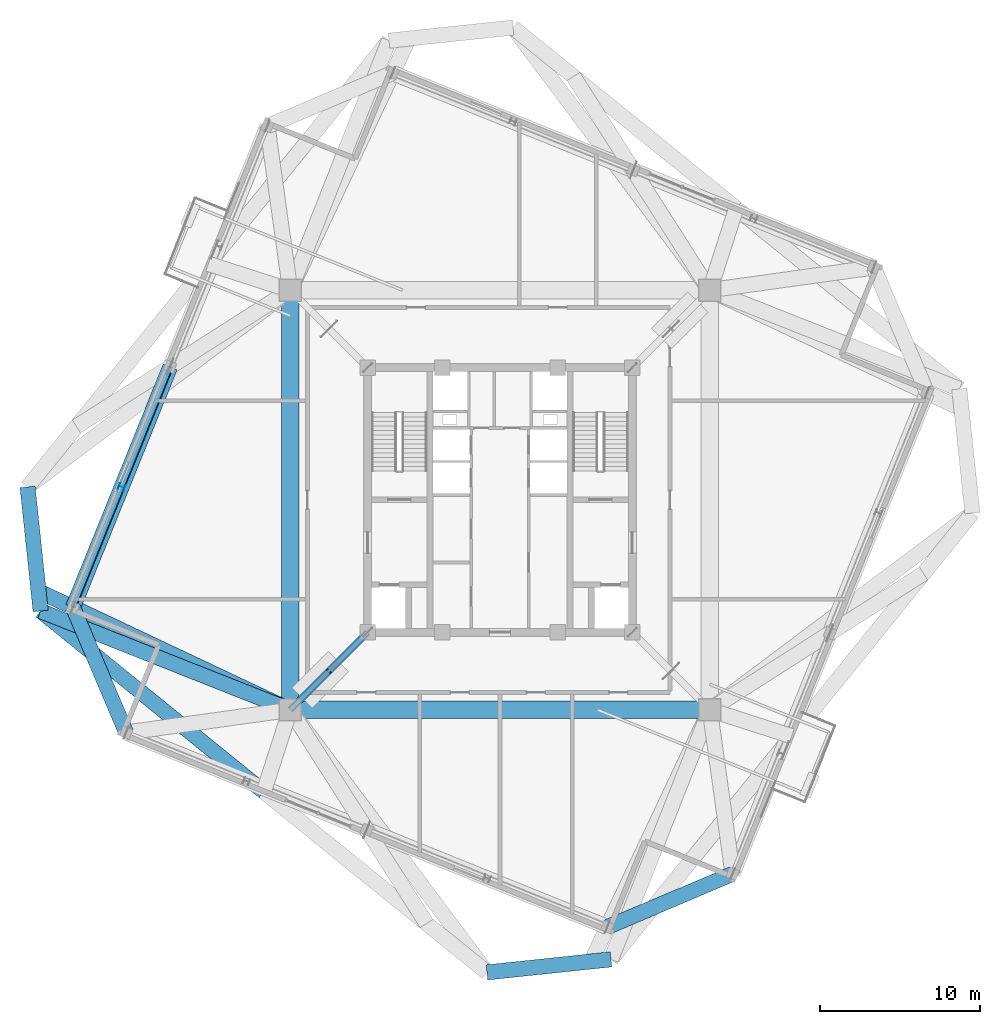
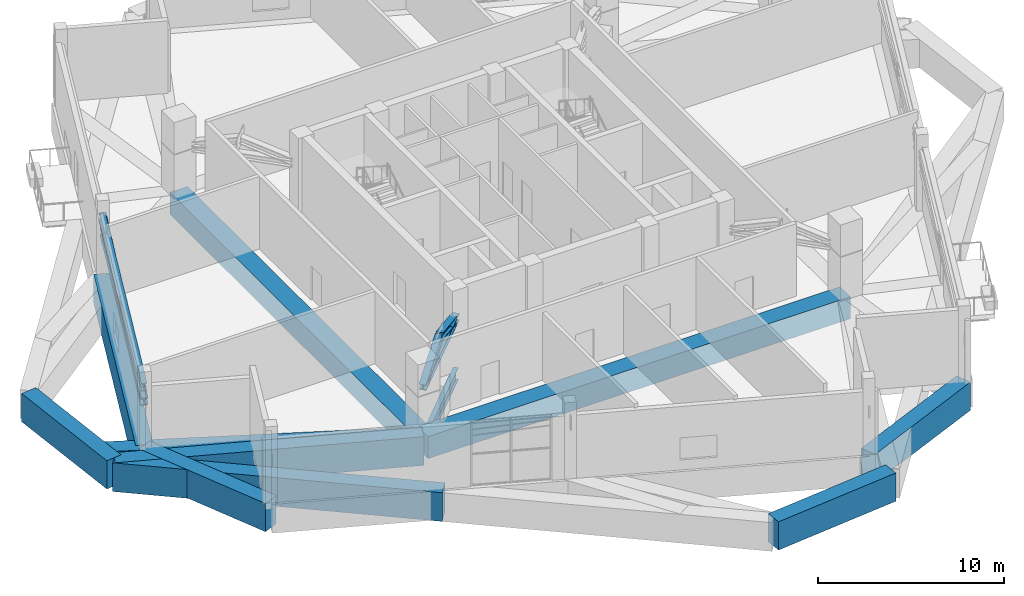
# One storey, part 5 of 20: 11 beams, 7 members.
"""IFC4 building model written with IfcOpenShell, lengths in metres."""

from ifc_helpers import new_model, si_unit, direction, frame, origin, origin_2d, place, context, subcontext, project, spatial, rectangle, i_section, extrude, source, transform, mapped, material, material_profile, profile_set, type_object, element, save


model = new_model("IFC4")

# Units and contexts
model_context = context("Model", 3, precision=1e-05, world=origin(), true_north=direction((0.0, 1.0)))
body_context = subcontext(model_context, "Body", "Model", "MODEL_VIEW")
ifc_project = project(units=[si_unit("LENGTHUNIT", "METRE"), si_unit("AREAUNIT", "SQUARE_METRE"), si_unit("VOLUMEUNIT", "CUBIC_METRE"), si_unit("PLANEANGLEUNIT", "RADIAN"), si_unit("MASSUNIT", "GRAM", prefix="KILO"), si_unit("THERMODYNAMICTEMPERATUREUNIT", "KELVIN")], contexts=[model_context])

# Site, building, storey
site_placement = place(None, origin())
site = spatial("IfcSite", under=ifc_project, at=site_placement, CompositionType="ELEMENT")
building_placement = place(site_placement, origin())
building = spatial("IfcBuilding", under=site, at=building_placement, Name="Kosmvard Interchange Tower", CompositionType="ELEMENT")
storey_placement = place(building_placement, frame((0.0, 0.0, 260.199951171875)))
storey = spatial("IfcBuildingStorey", under=building, at=storey_placement, Name="L63", CompositionType="ELEMENT", Elevation=260.199951171875)

# Beams
ifc_material_1 = material(Name="Concrete C70/85", Category="concrete")
ifc_material_profile_1 = material_profile(ifc_material_1, rectangle(XDim=1.10009765625, YDim=1.43994140625, at=origin_2d()), Name="TG 1100x1440")
ifc_profile_set_1 = profile_set([ifc_material_profile_1], Name="Concrete C70/85")
beam_type_1 = type_object("IfcBeamType", Name="Mega-Frame Transfer Ring Girder 1100x1440 C70/85", PredefinedType="USERDEFINED", material=ifc_profile_set_1)
shared_shape_1 = source(origin(), body_context, "Body", "SweptSolid", [
    extrude(rectangle(XDim=1.10009765625, YDim=1.43994140625, at=origin_2d()), origin(), (0.0, 0.0, 1.0), 26.162109375),
])
for number, where, z_axis, x_axis, name in (
    (1, (-13.0810546875, -13.0810546875, -0.719970703125), (1.0, 0.0, 0.0), (0.0, 1.0, 0.0), "L63 Mega-Column Ring Girder 1"),
    (2, (-13.0810546875, 13.0810546875, -0.719970703125), (0.0, -1.0, 0.0), (1.0, 0.0, 0.0), "L63 Mega-Column Ring Girder 4"),
):
    element("IfcBeam", number, at=place(storey_placement, frame(where, z_axis=z_axis, x_axis=x_axis)), inside=storey, type_object=beam_type_1, Name=name, ObjectType="TRANSFER_GIRDER", PredefinedType="USERDEFINED", context=body_context, shape_type="MappedRepresentation", body=[
        mapped(shared_shape_1, transform((0.0, 0.0, 0.0), scale=1.0)),
    ])

# Member
ifc_material_2 = material(Name="Steel S460", Category="steel")
ifc_material_profile_2 = material_profile(ifc_material_2, i_section(OverallWidth=0.40087890625, OverallDepth=0.39892578125, WebThickness=0.0185546875, FlangeThickness=0.028076171875, FilletRadius=0.014892578125, at=origin_2d()), Name="HD 400x314")
ifc_profile_set_2 = profile_set([ifc_material_profile_2], Name="Steel S460")
member_type_1 = type_object("IfcMemberType", Name="Outrigger Top and Bottom Chord HD 400x314 S460", PredefinedType="CHORD", material=ifc_profile_set_2)
shared_shape_2 = source(origin(), body_context, "Body", "SweptSolid", [
    extrude(i_section(OverallWidth=0.40087890625, OverallDepth=0.39892578125, WebThickness=0.0185546875, FlangeThickness=0.028076171875, FilletRadius=0.014892578125, at=origin_2d()), origin(), (0.0, 0.0, 1.0), 6.83203125),
])
member_1_placement = place(storey_placement, frame((-8.25, -8.25, 2.920166015625), z_axis=(-0.707106781187, -0.707106781187, 0.0), x_axis=(0.707106781187, -0.707106781187, 0.0)))
element("IfcMember", 3, at=member_1_placement, inside=storey, type_object=member_type_1, Name="L63 Outrigger Bottom Chord 1", PredefinedType="CHORD", context=body_context, shape_type="MappedRepresentation", body=[
    mapped(shared_shape_2, transform((0.0, 0.0, 0.0), scale=1.0)),
])

# Beams
ifc_material_3 = material(Name="Steel S355", Category="steel")
ifc_material_profile_3 = material_profile(ifc_material_3, i_section(OverallWidth=0.300048828125, OverallDepth=0.800048828125, WebThickness=0.017578125, FlangeThickness=0.032958984375, FilletRadius=0.027099609375, at=origin_2d()), Name="HEB 800")
ifc_profile_set_3 = profile_set([ifc_material_profile_3], Name="Steel S355")
beam_type_2 = type_object("IfcBeamType", Name="Primary Mega-Frame Girder HEB 800 S355", PredefinedType="BEAM", material=ifc_profile_set_3)
shared_shape_3 = source(origin(), body_context, "Body", "SweptSolid", [
    extrude(i_section(OverallWidth=0.300048828125, OverallDepth=0.800048828125, WebThickness=0.017578125, FlangeThickness=0.032958984375, FilletRadius=0.027099609375, at=origin_2d()), origin(), (0.0, 0.0, 1.0), 6.83203125),
])
beam_1_placement = place(storey_placement, frame((-8.25, -8.25, -0.800048828125), z_axis=(-0.707106781187, -0.707106781187, 0.0), x_axis=(0.707106781187, -0.707106781187, 0.0)))
element("IfcBeam", 4, at=beam_1_placement, inside=storey, type_object=beam_type_2, Name="L63 Radial Mega-Frame Girder 1", PredefinedType="BEAM", context=body_context, shape_type="MappedRepresentation", body=[
    mapped(shared_shape_3, transform((0.0, 0.0, 0.0), scale=1.0)),
])
ifc_material_4 = material(Name="Concrete C60/75", Category="concrete")
ifc_material_profile_4 = material_profile(ifc_material_4, rectangle(XDim=0.949951171875, YDim=1.8798828125, at=origin_2d()), Name="TG 950x1880")
ifc_profile_set_4 = profile_set([ifc_material_profile_4], Name="Concrete C60/75")
beam_type_3 = type_object("IfcBeamType", Name="Upper Long-Span Transfer Girder 950x1880 C60/75", PredefinedType="USERDEFINED", material=ifc_profile_set_4)
shared_shape_4 = source(origin(), body_context, "Body", "SweptSolid", [
    extrude(rectangle(XDim=0.949951171875, YDim=1.8798828125, at=origin_2d()), origin(), (0.0, 0.0, 1.0), 17.89990234375),
])
beam_2_placement = place(storey_placement, frame((-28.636962890625, -6.92041015625, -0.93994140625), z_axis=(0.777143856413, -0.629322990554, 0.0), x_axis=(0.629322990554, 0.777143856413, 0.0)))
element("IfcBeam", 5, at=beam_2_placement, inside=storey, type_object=beam_type_3, Name="BM-L63-LR10", ObjectType="TRANSFER_GIRDER", PredefinedType="USERDEFINED", context=body_context, shape_type="MappedRepresentation", body=[
    mapped(shared_shape_4, transform((0.0, 0.0, 0.0), scale=1.0)),
])
shared_shape_5 = source(origin(), body_context, "Body", "SweptSolid", [
    extrude(rectangle(XDim=0.949951171875, YDim=1.8798828125, at=origin_2d()), origin(), (0.0, 0.0, 1.0), 16.7314453125),
])
beam_3_placement = place(storey_placement, frame((-13.0810546875, -13.0810546875, -0.93994140625), z_axis=(-0.929743244223, 0.368208500474, 0.0), x_axis=(-0.368208500474, -0.929743244223, 0.0)))
element("IfcBeam", 6, at=beam_3_placement, inside=storey, type_object=beam_type_3, Name="BM-L63-LD10", ObjectType="TRANSFER_GIRDER", PredefinedType="USERDEFINED", context=body_context, shape_type="MappedRepresentation", body=[
    mapped(shared_shape_5, transform((0.0, 0.0, 0.0), scale=1.0)),
])
ifc_material_profile_5 = material_profile(ifc_material_4, rectangle(XDim=0.949951171875, YDim=1.85009765625, at=origin_2d()), Name="TG 950x1850")
ifc_profile_set_5 = profile_set([ifc_material_profile_5], Name="Concrete C60/75")
beam_type_4 = type_object("IfcBeamType", Name="Upper Transfer Ring Girder 950x1850 C60/75", PredefinedType="USERDEFINED", material=ifc_profile_set_5)
shared_shape_6 = source(origin(), body_context, "Body", "SweptSolid", [
    extrude(rectangle(XDim=0.949951171875, YDim=1.85009765625, at=origin_2d()), origin(), (0.0, 0.0, 1.0), 7.7783203125),
])
for number, where, z_axis, x_axis, name in (
    (7, (-29.449951171875, 0.815185546875, -0.925048828125), (0.104521394525, -0.994522638298, 0.0), (0.994522638298, 0.104521394525, 0.0), "BM-L63-LR09"),
    (8, (-0.815185546875, -29.449951171875, -0.925048828125), (0.994522638298, 0.104521394525, 0.0), (-0.104521394525, 0.994522638298, 0.0), "BM-L63-LR12"),
):
    element("IfcBeam", number, at=place(storey_placement, frame(where, z_axis=z_axis, x_axis=x_axis)), inside=storey, type_object=beam_type_4, Name=name, ObjectType="TRANSFER_GIRDER", PredefinedType="USERDEFINED", context=body_context, shape_type="MappedRepresentation", body=[
        mapped(shared_shape_6, transform((0.0, 0.0, 0.0), scale=1.0)),
    ])
shared_shape_7 = source(origin(), body_context, "Body", "SweptSolid", [
    extrude(rectangle(XDim=0.949951171875, YDim=1.8798828125, at=origin_2d()), origin(), (0.0, 0.0, 1.0), 16.1748046875),
])
beam_4_placement = place(storey_placement, frame((-20.560302734375, 8.306884765625, -0.93994140625), z_axis=(-0.374612782798, -0.92718135387, 0.0), x_axis=(0.92718135387, -0.374612782798, 0.0)))
element("IfcBeam", 9, at=beam_4_placement, inside=storey, type_object=beam_type_3, Name="BM-L63-PR08", ObjectType="TRANSFER_GIRDER", PredefinedType="USERDEFINED", context=body_context, shape_type="MappedRepresentation", body=[
    mapped(shared_shape_7, transform((0.0, 0.0, 0.0), scale=1.0)),
])
shared_shape_8 = source(origin(), body_context, "Body", "SweptSolid", [
    extrude(rectangle(XDim=0.949951171875, YDim=1.8798828125, at=origin_2d()), origin(), (0.0, 0.0, 1.0), 17.3466796875),
])
beam_5_placement = place(storey_placement, frame((-13.0810546875, -13.0810546875, -0.93994140625), z_axis=(-0.904312188366, 0.426871720747, 0.0), x_axis=(-0.426871720747, -0.904312188366, 0.0)))
element("IfcBeam", 10, at=beam_5_placement, inside=storey, type_object=beam_type_3, Name="BM-L63-RD09", ObjectType="TRANSFER_GIRDER", PredefinedType="USERDEFINED", context=body_context, shape_type="MappedRepresentation", body=[
    mapped(shared_shape_8, transform((0.0, 0.0, 0.0), scale=1.0)),
])
shared_shape_9 = source(origin(), body_context, "Body", "SweptSolid", [
    extrude(rectangle(XDim=0.949951171875, YDim=1.85009765625, at=origin_2d()), origin(), (0.0, 0.0, 1.0), 8.4853515625),
])
for number, where, z_axis, x_axis, name in (
    (11, (-26.61962890625, -6.690185546875, -0.925048828125), (0.390725696857, -0.920507159025, 0.0), (0.920507159025, 0.390725696857, 0.0), "BM-L63-PR09"),
    (12, (6.690185546875, -26.61962890625, -0.925048828125), (0.920507159025, 0.390725696857, 0.0), (-0.390725696857, 0.920507159025, 0.0), "BM-L63-PR12"),
):
    element("IfcBeam", number, at=place(storey_placement, frame(where, z_axis=z_axis, x_axis=x_axis)), inside=storey, type_object=beam_type_4, Name=name, ObjectType="TRANSFER_GIRDER", PredefinedType="USERDEFINED", context=body_context, shape_type="MappedRepresentation", body=[
        mapped(shared_shape_9, transform((0.0, 0.0, 0.0), scale=1.0)),
    ])

# Members
ifc_material_profile_6 = material_profile(ifc_material_2, i_section(OverallWidth=0.408935546875, OverallDepth=0.425048828125, WebThickness=0.02392578125, FlangeThickness=0.0390625, FilletRadius=0.014892578125, at=origin_2d()), Name="HD 400x421")
ifc_profile_set_6 = profile_set([ifc_material_profile_6], Name="Steel S460")
member_type_2 = type_object("IfcMemberType", Name="Radial Outrigger Diagonal HD 400x421 S460", PredefinedType="BRACE", material=ifc_profile_set_6)
shared_shape_10 = source(origin(), body_context, "Body", "SweptSolid", [
    extrude(i_section(OverallWidth=0.408935546875, OverallDepth=0.425048828125, WebThickness=0.02392578125, FlangeThickness=0.0390625, FilletRadius=0.014892578125, at=origin_2d()), origin(), (0.0, 0.0, 1.0), 3.56787109375),
])
for number, where, z_axis, x_axis, name in (
    (13, (-8.25, -8.25, 2.920166015625), (-0.677014108708, -0.677014108708, 0.288623965083), (0.707106781187, -0.707106781187, 0.0), "L63 Outrigger Diagonal 1A"),
    (14, (-10.66552734375, -10.66552734375, 3.949951171875), (-0.677014108708, -0.677014108708, -0.288623965083), (0.707106781187, -0.707106781187, 0.0), "L63 Outrigger Diagonal 1B"),
):
    element("IfcMember", number, at=place(storey_placement, frame(where, z_axis=z_axis, x_axis=x_axis)), inside=storey, type_object=member_type_2, Name=name, PredefinedType="BRACE", context=body_context, shape_type="MappedRepresentation", body=[
        mapped(shared_shape_10, transform((0.0, 0.0, 0.0), scale=1.0)),
    ])
ifc_material_profile_7 = material_profile(ifc_material_2, i_section(OverallWidth=0.300048828125, OverallDepth=0.5, WebThickness=0.014404296875, FlangeThickness=0.028076171875, FilletRadius=0.027099609375, at=origin_2d()), Name="HEB 500")
ifc_profile_set_7 = profile_set([ifc_material_profile_7], Name="Steel S460")
member_type_3 = type_object("IfcMemberType", Name="Belt Truss Chord HEB 500 S460", PredefinedType="CHORD", material=ifc_profile_set_7)
shared_shape_11 = source(origin(), body_context, "Body", "SweptSolid", [
    extrude(i_section(OverallWidth=0.300048828125, OverallDepth=0.5, WebThickness=0.014404296875, FlangeThickness=0.028076171875, FilletRadius=0.027099609375, at=origin_2d()), origin(), (0.0, 0.0, 1.0), 16.1748046875),
])
for number, where, z_axis, x_axis, name in (
    (15, (-20.560302734375, 8.306884765625, 2.820068359375), (-0.374612782798, -0.92718135387, 0.0), (0.92718135387, -0.374612782798, 0.0), "L63 Belt Truss Bottom Chord N2"),
    (16, (-20.560302734375, 8.306884765625, 3.77001953125), (-0.374612782798, -0.92718135387, 0.0), (0.92718135387, -0.374612782798, 0.0), "L63 Belt Truss Top Chord N2"),
):
    element("IfcMember", number, at=place(storey_placement, frame(where, z_axis=z_axis, x_axis=x_axis)), inside=storey, type_object=member_type_3, Name=name, PredefinedType="CHORD", context=body_context, shape_type="MappedRepresentation", body=[
        mapped(shared_shape_11, transform((0.0, 0.0, 0.0), scale=1.0)),
    ])
ifc_material_profile_8 = material_profile(ifc_material_2, i_section(OverallWidth=0.3759765625, OverallDepth=0.386962890625, WebThickness=0.01953125, FlangeThickness=0.031982421875, FilletRadius=0.014892578125, at=origin_2d()), Name="HD 360x329")
ifc_profile_set_8 = profile_set([ifc_material_profile_8], Name="Steel S460")
member_type_4 = type_object("IfcMemberType", Name="Belt Truss Vertical Post HD 360x329 S460", PredefinedType="STUD", material=ifc_profile_set_8)
shared_shape_12 = source(origin(), body_context, "Body", "SweptSolid", [
    extrude(i_section(OverallWidth=0.3759765625, OverallDepth=0.386962890625, WebThickness=0.01953125, FlangeThickness=0.031982421875, FilletRadius=0.014892578125, at=origin_2d()), origin(), (0.0, 0.0, 1.0), 0.949951171875),
])
member_2_placement = place(storey_placement, frame((-23.58984375, 0.808349609375, 2.820068359375), z_axis=(0.0, 0.0, 1.0), x_axis=(0.374606593416, 0.927183854567, 0.0)))
element("IfcMember", 17, at=member_2_placement, inside=storey, type_object=member_type_4, Name="L63 Belt Truss Post N2", PredefinedType="STUD", context=body_context, shape_type="MappedRepresentation", body=[
    mapped(shared_shape_12, transform((0.0, 0.0, 0.0), scale=1.0)),
])
ifc_material_profile_9 = material_profile(ifc_material_2, i_section(OverallWidth=0.406005859375, OverallDepth=0.416015625, WebThickness=0.021484375, FlangeThickness=0.034912109375, FilletRadius=0.014892578125, at=origin_2d()), Name="HD 400x382")
ifc_profile_set_9 = profile_set([ifc_material_profile_9], Name="Steel S460")
member_type_5 = type_object("IfcMemberType", Name="Perimeter Belt Truss Diagonal HD 400x382 S460", PredefinedType="BRACE", material=ifc_profile_set_9)
shared_shape_13 = source(origin(), body_context, "Body", "SweptSolid", [
    extrude(i_section(OverallWidth=0.406005859375, OverallDepth=0.416015625, WebThickness=0.021484375, FlangeThickness=0.034912109375, FilletRadius=0.014892578125, at=origin_2d()), origin(), (0.0, 0.0, 1.0), 16.202880859375),
])
member_3_placement = place(storey_placement, frame((-26.61962890625, -6.690185546875, 2.820068359375), z_axis=(0.373968391036, 0.925586458945, 0.058628913716), x_axis=(-0.92718135387, 0.374612782798, 0.0)))
element("IfcMember", 18, at=member_3_placement, inside=storey, type_object=member_type_5, Name="L63 Belt Truss Diagonal N2", PredefinedType="BRACE", context=body_context, shape_type="MappedRepresentation", body=[
    mapped(shared_shape_13, transform((0.0, 0.0, 0.0), scale=1.0)),
])

save(model, "model.ifc")
